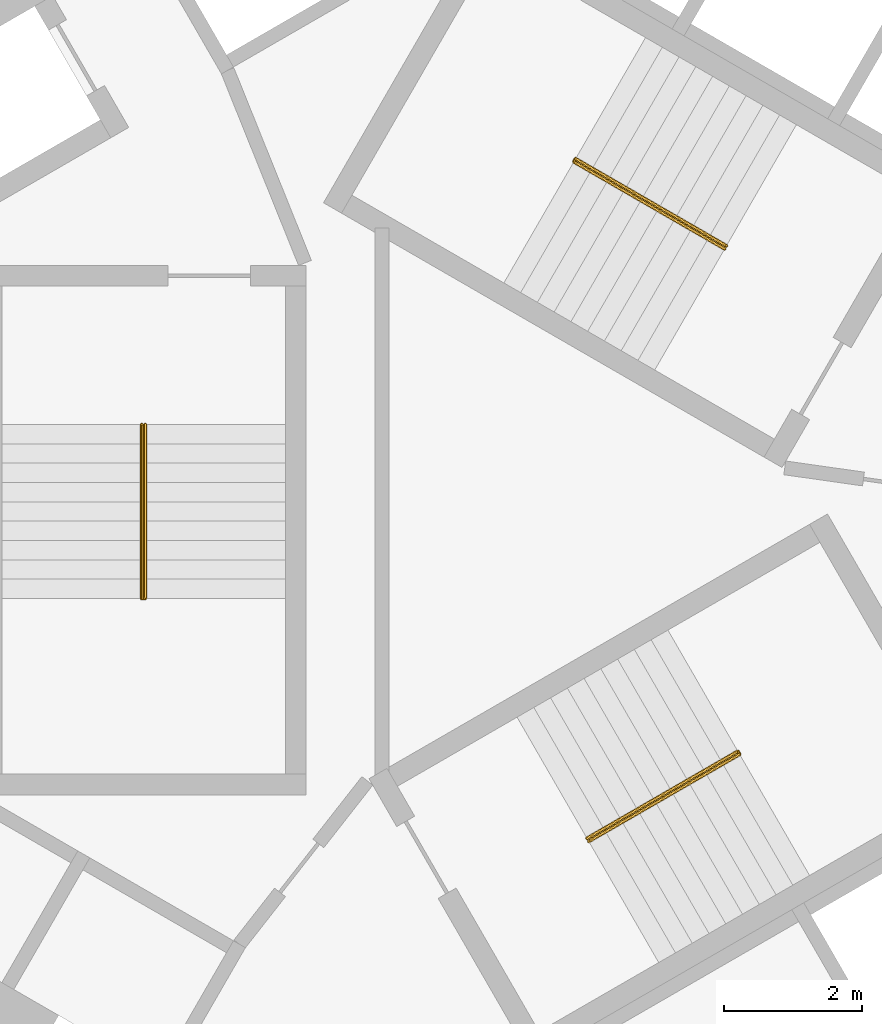
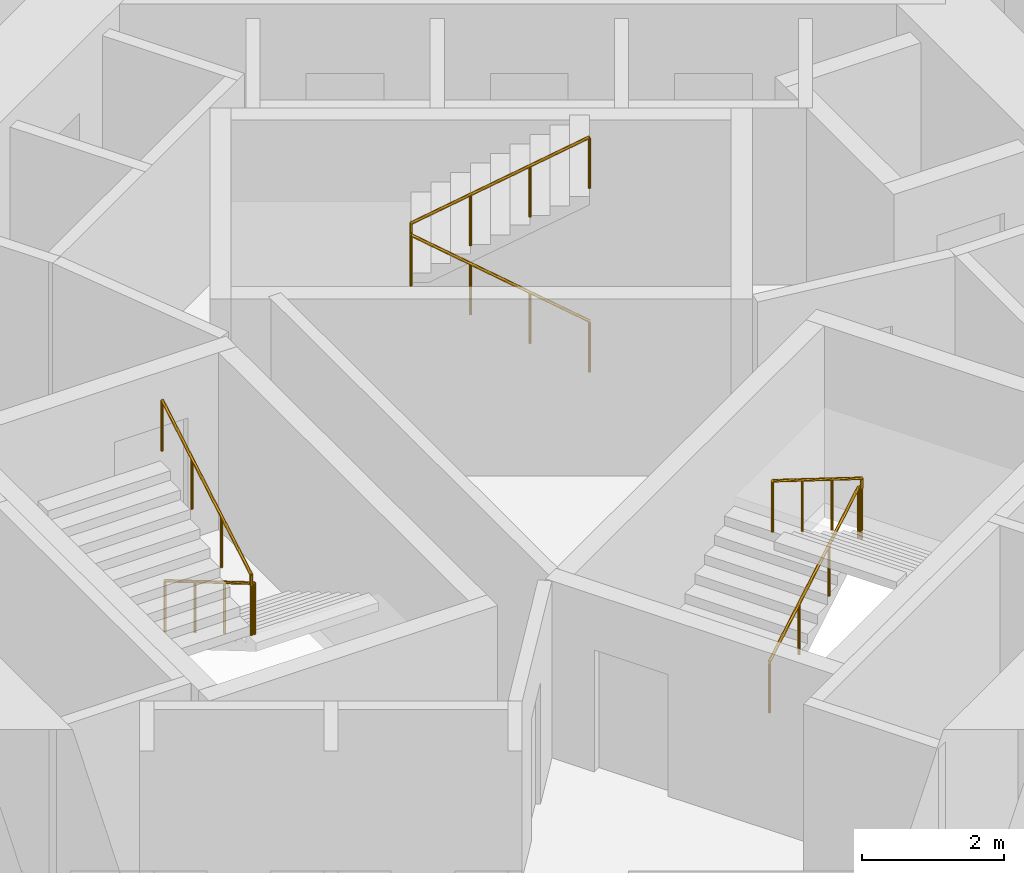
# One storey, part 12 of 12: 3 railings.
"""IFC4 building model written with IfcOpenShell, lengths in metres."""

from ifc_helpers import new_model, si_unit, direction, frame, origin, origin_2d, place, context, subcontext, project, spatial, circle, extrude, material, type_object, element, save


model = new_model("IFC4")

# Units and contexts
model_context = context("Model", 3, precision=1e-05, world=origin(), true_north=direction((0.0, 1.0)))
body_context = subcontext(model_context, "Body", "Model", "MODEL_VIEW")
ifc_project = project(units=[si_unit("LENGTHUNIT", "METRE"), si_unit("AREAUNIT", "SQUARE_METRE"), si_unit("VOLUMEUNIT", "CUBIC_METRE"), si_unit("PLANEANGLEUNIT", "RADIAN"), si_unit("MASSUNIT", "GRAM", prefix="KILO")], contexts=[model_context])

# Site, building, storey
site_placement = place(None, origin())
site = spatial("IfcSite", under=ifc_project, at=site_placement, CompositionType="ELEMENT")
building_placement = place(site_placement, origin())
building = spatial("IfcBuilding", under=site, at=building_placement, Name="Vanh Sen Convention Tower", CompositionType="ELEMENT")
storey_placement = place(building_placement, frame((0.0, 0.0, 60.5)))
storey = spatial("IfcBuildingStorey", under=building, at=storey_placement, Name="L12", CompositionType="ELEMENT", Elevation=60.5)

# Railings
ifc_material = material(Name="Stainless steel handrail", Category="steel")
railing_type = type_object("IfcRailingType", Name="Stair handrail 900", PredefinedType="HANDRAIL", material=ifc_material)
railing_1_placement = place(storey_placement, frame((3.45849609375, 3.690185546875, 0.1650390625)))
element("IfcRailing", 1, at=railing_1_placement, inside=storey, type_object=railing_type, Name="Stair handrail ST1 L12", PredefinedType="HANDRAIL", context=body_context, shape_type="SweptSolid", body=[
    extrude(circle(Radius=0.02392578125, at=origin_2d()), frame((0.0, 0.0, 0.8759765625), z_axis=(-0.746166161147, 0.430756550076, 0.507626688154), x_axis=(-0.499962843328, -0.866046855136, 0.0)), (0.0, 0.0, 1.0), 2.925048828125),
    extrude(circle(Radius=0.02392578125, at=origin_2d()), frame((-2.1826171875, 1.260009765625, 2.36083984375), z_axis=(0.502959906984, 0.86430974307, 0.0), x_axis=(-0.86430974307, 0.502959906984, 0.0)), (0.0, 0.0, 1.0), 0.050048828125),
    extrude(circle(Radius=0.02392578125, at=origin_2d()), frame((-2.157470703125, 1.30322265625, 2.36083984375), z_axis=(0.0, 0.0, 1.0), x_axis=(1.0, 0.0, 0.0)), (0.0, 0.0, 1.0), 0.1650390625),
    extrude(circle(Radius=0.02392578125, at=origin_2d()), frame((-2.157470703125, 1.30322265625, 2.52587890625), z_axis=(0.746097546679, -0.430765123438, 0.507720256902), x_axis=(0.500004791531, 0.866022637375, 0.0)), (0.0, 0.0, 1.0), 2.925048828125),
    extrude(circle(Radius=0.02099609375, at=origin_2d()), origin(), (0.0, 0.0, 1.0), 0.851806640625),
    extrude(circle(Radius=0.02099609375, at=origin_2d()), frame((-0.7275390625, 0.419921875, 0.494873046875)), (0.0, 0.0, 1.0), 0.851806640625),
    extrude(circle(Radius=0.02099609375, at=origin_2d()), frame((-1.455078125, 0.840087890625, 0.989990234375)), (0.0, 0.0, 1.0), 0.851806640625),
    extrude(circle(Radius=0.02099609375, at=origin_2d()), frame((-2.1826171875, 1.260009765625, 1.48486328125)), (0.0, 0.0, 1.0), 0.851806640625),
    extrude(circle(Radius=0.02099609375, at=origin_2d()), frame((-2.157470703125, 1.30322265625, 1.48486328125)), (0.0, 0.0, 1.0), 0.851806640625),
    extrude(circle(Radius=0.02099609375, at=origin_2d()), frame((-2.157470703125, 1.30322265625, 1.64990234375)), (0.0, 0.0, 1.0), 0.851806640625),
    extrude(circle(Radius=0.02099609375, at=origin_2d()), frame((-1.429931640625, 0.88330078125, 2.14501953125)), (0.0, 0.0, 1.0), 0.851806640625),
    extrude(circle(Radius=0.02099609375, at=origin_2d()), frame((-0.70263671875, 0.463134765625, 2.639892578125)), (0.0, 0.0, 1.0), 0.851806640625),
    extrude(circle(Radius=0.02099609375, at=origin_2d()), frame((0.02490234375, 0.043212890625, 3.135009765625)), (0.0, 0.0, 1.0), 0.851806640625),
])
railing_2_placement = place(storey_placement, frame((-4.925048828125, 1.14990234375, 0.1650390625)))
element("IfcRailing", 2, at=railing_2_placement, inside=storey, type_object=railing_type, Name="Stair handrail ST2 L12", PredefinedType="HANDRAIL", context=body_context, shape_type="SweptSolid", body=[
    extrude(circle(Radius=0.02392578125, at=origin_2d()), frame((0.0, 0.0, 0.8759765625), z_axis=(0.0, -0.861560626758, 0.507654692109), x_axis=(1.0, 0.0, 0.0)), (0.0, 0.0, 1.0), 2.925048828125),
    extrude(circle(Radius=0.02392578125, at=origin_2d()), frame((0.0, -2.52001953125, 2.36083984375), z_axis=(-1.0, 0.0, 0.0), x_axis=(0.0, -1.0, 0.0)), (0.0, 0.0, 1.0), 0.050048828125),
    extrude(circle(Radius=0.02392578125, at=origin_2d()), frame((-0.050048828125, -2.52001953125, 2.36083984375), z_axis=(0.0, 0.0, 1.0), x_axis=(1.0, 0.0, 0.0)), (0.0, 0.0, 1.0), 0.1650390625),
    extrude(circle(Radius=0.02392578125, at=origin_2d()), frame((-0.050048828125, -2.52001953125, 2.52587890625), z_axis=(0.0, 0.86152411907, 0.507716645641), x_axis=(-1.0, 0.0, 0.0)), (0.0, 0.0, 1.0), 2.925048828125),
    extrude(circle(Radius=0.02099609375, at=origin_2d()), origin(), (0.0, 0.0, 1.0), 0.851806640625),
    extrude(circle(Radius=0.02099609375, at=origin_2d()), frame((0.0, -0.840087890625, 0.494873046875)), (0.0, 0.0, 1.0), 0.851806640625),
    extrude(circle(Radius=0.02099609375, at=origin_2d()), frame((0.0, -1.679931640625, 0.989990234375)), (0.0, 0.0, 1.0), 0.851806640625),
    extrude(circle(Radius=0.02099609375, at=origin_2d()), frame((0.0, -2.52001953125, 1.48486328125)), (0.0, 0.0, 1.0), 0.851806640625),
    extrude(circle(Radius=0.02099609375, at=origin_2d()), frame((-0.050048828125, -2.52001953125, 1.48486328125)), (0.0, 0.0, 1.0), 0.851806640625),
    extrude(circle(Radius=0.02099609375, at=origin_2d()), frame((-0.050048828125, -2.52001953125, 1.64990234375)), (0.0, 0.0, 1.0), 0.851806640625),
    extrude(circle(Radius=0.02099609375, at=origin_2d()), frame((-0.050048828125, -1.679931640625, 2.14501953125)), (0.0, 0.0, 1.0), 0.851806640625),
    extrude(circle(Radius=0.02099609375, at=origin_2d()), frame((-0.050048828125, -0.840087890625, 2.639892578125)), (0.0, 0.0, 1.0), 0.851806640625),
    extrude(circle(Radius=0.02099609375, at=origin_2d()), frame((-0.050048828125, 0.0, 3.135009765625)), (0.0, 0.0, 1.0), 0.851806640625),
])
railing_3_placement = place(storey_placement, frame((1.466552734375, -4.840087890625, 0.1650390625)))
element("IfcRailing", 3, at=railing_3_placement, inside=storey, type_object=railing_type, Name="Stair handrail ST3 L12", PredefinedType="HANDRAIL", context=body_context, shape_type="SweptSolid", body=[
    extrude(circle(Radius=0.02392578125, at=origin_2d()), frame((0.0, 0.0, 0.8759765625), z_axis=(0.746129163535, 0.430783377672, 0.507658303235), x_axis=(-0.500004791531, 0.866022637375, 0.0)), (0.0, 0.0, 1.0), 2.9248046875),
    extrude(circle(Radius=0.02392578125, at=origin_2d()), frame((2.182373046875, 1.260009765625, 2.36083984375), z_axis=(0.500844580232, -0.86553723574, 0.0), x_axis=(0.86553723574, 0.500844580232, 0.0)), (0.0, 0.0, 1.0), 0.05029296875),
    extrude(circle(Radius=0.02392578125, at=origin_2d()), frame((2.20751953125, 1.216552734375, 2.36083984375), z_axis=(0.0, 0.0, 1.0), x_axis=(1.0, 0.0, 0.0)), (0.0, 0.0, 1.0), 0.1650390625),
    extrude(circle(Radius=0.02392578125, at=origin_2d()), frame((2.20751953125, 1.216552734375, 2.52587890625), z_axis=(-0.746097546679, -0.430765123438, 0.507720256902), x_axis=(0.500004791531, -0.866022637375, 0.0)), (0.0, 0.0, 1.0), 2.925048828125),
    extrude(circle(Radius=0.02099609375, at=origin_2d()), origin(), (0.0, 0.0, 1.0), 0.851806640625),
    extrude(circle(Radius=0.02099609375, at=origin_2d()), frame((0.7275390625, 0.419921875, 0.494873046875)), (0.0, 0.0, 1.0), 0.851806640625),
    extrude(circle(Radius=0.02099609375, at=origin_2d()), frame((1.454833984375, 0.840087890625, 0.989990234375)), (0.0, 0.0, 1.0), 0.851806640625),
    extrude(circle(Radius=0.02099609375, at=origin_2d()), frame((2.182373046875, 1.260009765625, 1.48486328125)), (0.0, 0.0, 1.0), 0.851806640625),
    extrude(circle(Radius=0.02099609375, at=origin_2d()), frame((2.20751953125, 1.216552734375, 1.48486328125)), (0.0, 0.0, 1.0), 0.851806640625),
    extrude(circle(Radius=0.02099609375, at=origin_2d()), frame((2.20751953125, 1.216552734375, 1.64990234375)), (0.0, 0.0, 1.0), 0.851806640625),
    extrude(circle(Radius=0.02099609375, at=origin_2d()), frame((1.47998046875, 0.796630859375, 2.14501953125)), (0.0, 0.0, 1.0), 0.851806640625),
    extrude(circle(Radius=0.02099609375, at=origin_2d()), frame((0.752685546875, 0.37646484375, 2.639892578125)), (0.0, 0.0, 1.0), 0.851806640625),
    extrude(circle(Radius=0.02099609375, at=origin_2d()), frame((0.025146484375, -0.04345703125, 3.135009765625)), (0.0, 0.0, 1.0), 0.851806640625),
])

save(model, "model.ifc")
